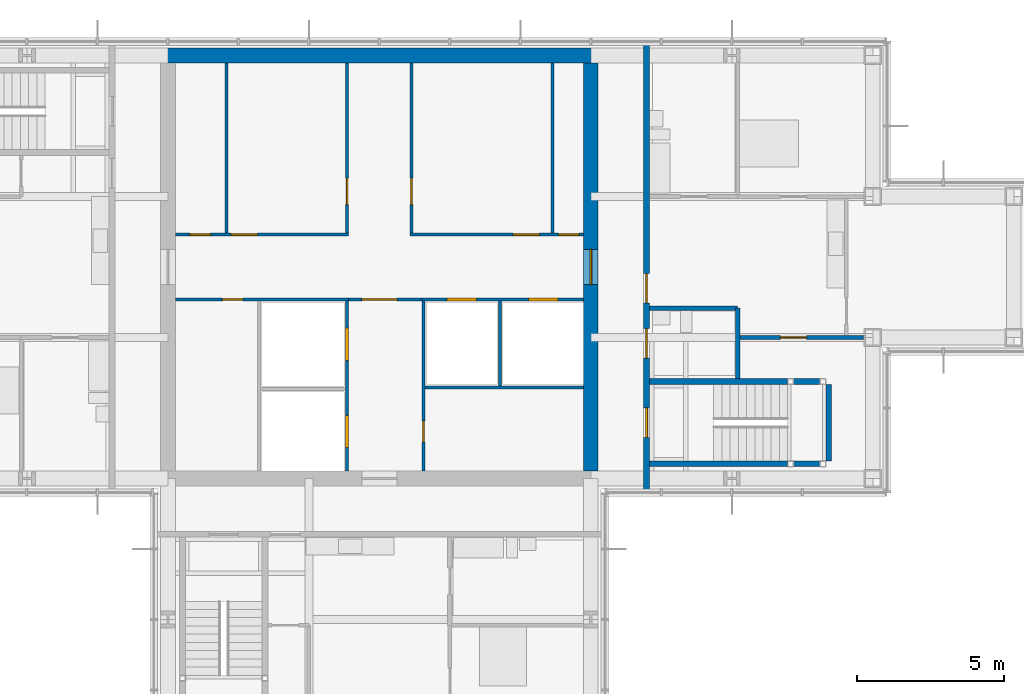
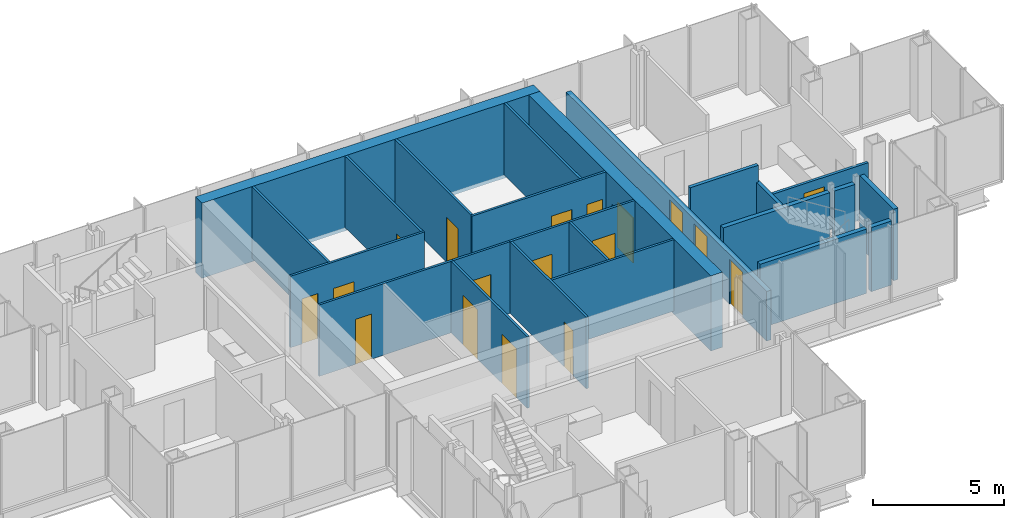
# One storey, part 11 of 15: 24 walls, 18 doors, 18 openings.
"""IFC4 building model written with IfcOpenShell, lengths in metres."""

import ifcopenshell
import ifcopenshell.guid

model = None  # the IFC model being written
_history = None  # IfcOwnerHistory: only IFC2X3 demands one
_inside = {}  # id of a spatial element -> (the spatial element, [elements in it])
_under = {}  # id of a project, library or spatial element -> (it, [spatial elements below it])
_declared = {}  # id of a project -> (the project, [libraries it declares])
_typed = {}  # id of a type object -> (the type object, [elements of that type])
_made_of = {}  # id of a material, layer set ... -> (it, [elements and type objects made of it])


def new_model(schema):
    """Start an empty IFC model of exactly this schema.

    Asked for "IFC4X3", IfcOpenShell would pick the latest addendum, in which some entities
    have other attributes; the version numbers below select the first issue.
    IFC2X3 requires an IfcOwnerHistory on every rooted entity: one is made here for all.
    """
    global model, _history
    if schema == "IFC4X3":
        model = ifcopenshell.file(schema_version=(4, 3, 0, 0))
    else:
        model = ifcopenshell.file(schema=schema)
    _inside.clear()
    _under.clear()
    _declared.clear()
    _typed.clear()
    _made_of.clear()
    _history = None
    if model.schema == "IFC2X3":
        org = make("IfcOrganization", Name="unknown")
        user = make(
            "IfcPersonAndOrganization",
            ThePerson=make("IfcPerson", FamilyName="unknown"),
            TheOrganization=org,
        )
        app = make(
            "IfcApplication",
            ApplicationDeveloper=org,
            Version="unknown",
            ApplicationFullName="unknown",
            ApplicationIdentifier="unknown",
        )
        _history = make(
            "IfcOwnerHistory",
            OwningUser=user,
            OwningApplication=app,
            ChangeAction="ADDED",
            CreationDate=0,
        )
    return model


def make(cls, **values):
    """One entity of the class cls with the attributes given. An attribute that is None is left unset."""
    return model.create_entity(
        cls, **{name: value for name, value in values.items() if value is not None}
    )


def rooted(cls, **values):
    """An entity with a GlobalId (a new one), such as an element, a storey or a relation."""
    return make(cls, GlobalId=ifcopenshell.guid.new(), OwnerHistory=_history, **values)


def si_unit(unit_type, name, prefix=None):
    """IfcSIUnit, for example si_unit("LENGTHUNIT", "METRE", prefix="MILLI")."""
    return make("IfcSIUnit", UnitType=unit_type, Prefix=prefix, Name=name)


def assignment(units):
    """IfcUnitAssignment: the units of a project."""
    return None if units is None else make("IfcUnitAssignment", Units=units)


def point(xyz):
    """IfcCartesianPoint."""
    return None if xyz is None else make("IfcCartesianPoint", Coordinates=xyz)


def direction(xyz):
    """IfcDirection."""
    return None if xyz is None else make("IfcDirection", DirectionRatios=xyz)


def frame(location, z_axis=None, x_axis=None):
    """IfcAxis2Placement3D, a coordinate frame: its origin and axes. An axis left out is left unset."""
    return make(
        "IfcAxis2Placement3D",
        Location=point(location),
        Axis=direction(z_axis),
        RefDirection=direction(x_axis),
    )


def frame_2d(location, x_axis=None):
    """IfcAxis2Placement2D, a coordinate frame in the plane: its origin and x axis."""
    return make(
        "IfcAxis2Placement2D", Location=point(location), RefDirection=direction(x_axis)
    )


def origin():
    """The frame at (0, 0, 0) with its axes left unset."""
    return frame((0.0, 0.0, 0.0))


def place(relative_to, where):
    """IfcLocalPlacement: puts the frame where relative to a parent placement (None: the world)."""
    return make(
        "IfcLocalPlacement", PlacementRelTo=relative_to, RelativePlacement=where
    )


def context(
    kind, dimensions, precision=None, world=None, true_north=None, identifier=None
):
    """IfcGeometricRepresentationContext, for example the 3D "Model" context."""
    return make(
        "IfcGeometricRepresentationContext",
        ContextIdentifier=identifier,
        ContextType=kind,
        CoordinateSpaceDimension=dimensions,
        Precision=precision,
        WorldCoordinateSystem=world,
        TrueNorth=true_north,
    )


def subcontext(parent, identifier, kind, view, scale=None):
    """IfcGeometricRepresentationSubContext, for example "Body" below "Model"."""
    return make(
        "IfcGeometricRepresentationSubContext",
        ContextIdentifier=identifier,
        ContextType=kind,
        ParentContext=parent,
        TargetScale=scale,
        TargetView=view,
    )


def project(units=None, contexts=None):
    """IfcProject with its units and contexts."""
    return rooted(
        "IfcProject",
        Name="project",
        RepresentationContexts=contexts,
        UnitsInContext=assignment(units),
    )


def spatial(cls, under=None, at=None, **own):
    """A site, building, storey or space (cls), placed at a placement, below another one or the project."""
    s = rooted(cls, ObjectPlacement=at, **own)
    if under is not None:
        _under.setdefault(under.id(), (under, []))[1].append(s)
    return s


def profile(cls, at=None, kind="AREA", **sizes):
    """A parametric profile (cls). Its sizes go by their IFC names, for example OverallWidth=200.0."""
    return make(cls, ProfileType=kind, Position=at, **sizes)


def rectangle(**sizes):
    """IfcRectangleProfileDef."""
    return profile("IfcRectangleProfileDef", **sizes)


def extrude(swept, where, along, depth):
    """IfcExtrudedAreaSolid: the profile swept, set in the frame where, extruded along a direction by depth."""
    return make(
        "IfcExtrudedAreaSolid",
        SweptArea=swept,
        Position=where,
        ExtrudedDirection=direction(along),
        Depth=depth,
    )


def shape(context_of_items, identifier, shape_type, items):
    """IfcShapeRepresentation: the items that make up one representation, for example the "Body"."""
    return make(
        "IfcShapeRepresentation",
        ContextOfItems=context_of_items,
        RepresentationIdentifier=identifier,
        RepresentationType=shape_type,
        Items=items,
    )


def material(Name=None, Category=None):
    """IfcMaterial."""
    return make("IfcMaterial", Name=Name, Category=Category)


def layer(
    of_material, thickness, ventilated=None, Name=None, Category=None, Priority=None
):
    """IfcMaterialLayer: one layer of a wall or slab, of a material (None: an air gap)."""
    return make(
        "IfcMaterialLayer",
        Material=of_material,
        LayerThickness=thickness,
        IsVentilated=ventilated,
        Name=Name,
        Category=Category,
        Priority=Priority,
    )


def layer_set(layers, Name=None):
    """IfcMaterialLayerSet."""
    return make("IfcMaterialLayerSet", MaterialLayers=layers, LayerSetName=Name)


def made_of(thing, what):
    """Note that an element or type object is made of a material, layer set ...; save() writes the relation."""
    if what is not None:
        _made_of.setdefault(what.id(), (what, []))[1].append(thing)
    return thing


def type_object(cls, material=None, **own):
    """A type object (cls), such as IfcWallType, which elements share."""
    return made_of(rooted(cls, **own), material)


def element(
    cls,
    number,
    at=None,
    inside=None,
    cuts=None,
    type_object=None,
    material=None,
    context=None,
    identifier="Body",
    shape_type=None,
    held_by="IfcProductDefinitionShape",
    body=None,
    shapes=None,
    **own,
):
    """One element of the class cls, such as IfcWall. Its Tag is "e" and its number.

    at: its placement. inside: the storey or other place that contains it. cuts: it is an
    opening in that element (IfcRelVoidsElement). A single representation is given by context,
    identifier, shape_type and body (its items); several are given by shapes. held_by: the class
    of the entity that holds the representations. save() writes the other relations.
    """
    e = rooted(cls, Tag="e%d" % number, ObjectPlacement=at, **own)
    if body is not None:
        shapes = [shape(context, identifier, shape_type, body)]
    if shapes is not None:
        e.Representation = make(held_by, Representations=shapes)
    if inside is not None:
        _inside.setdefault(inside.id(), (inside, []))[1].append(e)
    if cuts is not None:
        rooted(
            "IfcRelVoidsElement", RelatingBuildingElement=cuts, RelatedOpeningElement=e
        )
    if type_object is not None:
        _typed.setdefault(type_object.id(), (type_object, []))[1].append(e)
    return made_of(e, material)


def fill(opening, filler):
    """IfcRelFillsElement: the door or window that sits in an opening."""
    return rooted(
        "IfcRelFillsElement",
        RelatingOpeningElement=opening,
        RelatedBuildingElement=filler,
    )


def aggregate(whole, parts):
    """IfcRelAggregates: a whole, such as a stair, and the parts it consists of."""
    return rooted("IfcRelAggregates", RelatingObject=whole, RelatedObjects=parts)


def save(model, path):
    """Write the relations noted so far, then the file.

    IfcRelAggregates (storeys below a building ...), IfcRelContainedInSpatialStructure (elements
    in a storey), IfcRelDefinesByType, IfcRelAssociatesMaterial and IfcRelDeclares: one each for
    every whole, place, type object, material and project.
    """
    for whole, parts in _under.values():
        aggregate(whole, parts)
    for where, things in _inside.values():
        rooted(
            "IfcRelContainedInSpatialStructure",
            RelatedElements=things,
            RelatingStructure=where,
        )
    for kind, things in _typed.values():
        rooted("IfcRelDefinesByType", RelatedObjects=things, RelatingType=kind)
    for what, things in _made_of.values():
        rooted("IfcRelAssociatesMaterial", RelatedObjects=things, RelatingMaterial=what)
    for by, libraries in _declared.values():
        rooted("IfcRelDeclares", RelatingContext=by, RelatedDefinitions=libraries)
    model.write(path)


model = new_model("IFC4")

# Units and contexts
model_context = context("Model", 3, precision=1e-05, world=origin(), true_north=direction((0.0, 1.0)))
body_context = subcontext(model_context, "Body", "Model", "MODEL_VIEW")
ifc_project = project(units=[si_unit("LENGTHUNIT", "METRE"), si_unit("AREAUNIT", "SQUARE_METRE"), si_unit("VOLUMEUNIT", "CUBIC_METRE"), si_unit("PLANEANGLEUNIT", "RADIAN"), si_unit("MASSUNIT", "GRAM", prefix="KILO")], contexts=[model_context])

# Site, building, storey
site_placement = place(None, origin())
site = spatial("IfcSite", under=ifc_project, at=site_placement, CompositionType="ELEMENT")
building_placement = place(site_placement, origin())
building = spatial("IfcBuilding", under=site, at=building_placement, Name="Kvirike Care Tower", CompositionType="ELEMENT")
storey_placement = place(building_placement, frame((0.0, 0.0, 201.5)))
storey = spatial("IfcBuildingStorey", under=building, at=storey_placement, Name="L55", CompositionType="ELEMENT", Elevation=201.5)

# Walls
ifc_material_1 = material(Name="Moisture-resistant board partition", Category="gypsum")
ifc_layer_1 = layer(ifc_material_1, 0.14990234375)
ifc_layer_set_1 = layer_set([ifc_layer_1], Name="BATHROOM WALL 150")
wall_type_1 = type_object("IfcWallType", Name="BATHROOM WALL 150", PredefinedType="PARTITIONING", material=ifc_layer_set_1)
wall_1_placement = place(storey_placement, frame((33.800048828125, 32.199951171875, 0.0), z_axis=(0.0, 0.0, 1.0), x_axis=(0.0, 1.0, 0.0)))
element("IfcWall", 1, at=wall_1_placement, inside=storey, type_object=wall_type_1, Name="Bathroom Wall 150 L55", PredefinedType="PARTITIONING", context=body_context, shape_type="SweptSolid", body=[
    extrude(rectangle(XDim=2.400146484375, YDim=0.14990234375, at=frame_2d((1.2001953125, 0.0))), origin(), (0.0, 0.0, 1.0), 2.550048828125),
])
wall_2_placement = place(storey_placement, frame((33.800048828125, 34.60009765625, 0.0), z_axis=(0.0, 0.0, 1.0), x_axis=(-1.0, 0.0, 0.0)))
element("IfcWall", 2, at=wall_2_placement, inside=storey, type_object=wall_type_1, Name="Bathroom Wall 150 L55", PredefinedType="PARTITIONING", context=body_context, shape_type="SweptSolid", body=[
    extrude(rectangle(XDim=3.0, YDim=0.14990234375, at=frame_2d((1.5, 0.0))), origin(), (0.0, 0.0, 1.0), 3.330078125),
])
ifc_material_2 = material(Name="Concrete C40/50", Category="concrete")
ifc_layer_2 = layer(ifc_material_2, 0.5)
ifc_layer_set_2 = layer_set([ifc_layer_2], Name="CORE WALL 500 C40-50")
wall_type_2 = type_object("IfcWallType", Name="CORE WALL 500 C40-50", PredefinedType="SHEAR", material=ifc_layer_set_2)
wall_3_placement = place(storey_placement, frame((29.050048828125, 43.199951171875, -0.169921875), z_axis=(0.0, 0.0, 1.0), x_axis=(-1.0, 0.0, 0.0)))
element("IfcWall", 3, at=wall_3_placement, inside=storey, type_object=wall_type_2, Name="Core wall N L55", PredefinedType="SHEAR", context=body_context, shape_type="SweptSolid", body=[
    extrude(rectangle(XDim=14.900146484375, YDim=0.5, at=frame_2d((7.4501953125, 0.0))), origin(), (0.0, 0.0, 1.0), 3.5),
])

# Wall, opening, door
wall_4_placement = place(storey_placement, frame((28.800048828125, 29.050048828125, -0.169921875), z_axis=(0.0, 0.0, 1.0), x_axis=(0.0, 1.0, 0.0)))
wall_4 = element("IfcWall", 4, at=wall_4_placement, inside=storey, type_object=wall_type_2, Name="Core wall E L55", PredefinedType="SHEAR", context=body_context, shape_type="SweptSolid", body=[
    extrude(rectangle(XDim=13.89990234375, YDim=0.5, at=frame_2d((6.949951171875, 0.0))), origin(), (0.0, 0.0, 1.0), 3.5),
])
opening_1_placement = place(wall_4_placement, frame((6.35009765625, 0.0, 0.169921875)))
opening_1 = element("IfcOpeningElement", 5, at=opening_1_placement, cuts=wall_4, Name="Opening 55-035", PredefinedType="OPENING", context=body_context, shape_type="SweptSolid", body=[
    extrude(rectangle(XDim=1.199951171875, YDim=2.10009765625, at=frame_2d((0.60009765625, 1.050048828125))), frame((0.0, 0.260498046875, 0.0), z_axis=(0.0, -1.0, 0.0), x_axis=(1.0, 0.0, 0.0)), (0.0, 0.0, 1.0), 0.52099609375),
])
ifc_material_3 = material(Name="Timber door set", Category="wood")
door_type_1 = type_object("IfcDoorType", Name="CORE DOOR 1200", OperationType="SINGLE_SWING_LEFT", PredefinedType="DOOR", material=ifc_material_3)
door_1_placement = place(opening_1_placement, origin())
door_1 = element("IfcDoor", 6, at=door_1_placement, inside=storey, type_object=door_type_1, Name="Core door E L55", OperationType="SINGLE_SWING_LEFT", OverallHeight=2.10009765625, OverallWidth=1.199951171875, PredefinedType="DOOR", context=body_context, shape_type="SweptSolid", body=[
    extrude(rectangle(XDim=1.199951171875, YDim=2.10009765625, at=frame_2d((0.60009765625, 1.050048828125))), frame((0.0, 0.02685546875, 0.0), z_axis=(0.0, -1.0, 0.0), x_axis=(1.0, 0.0, 0.0)), (0.0, 0.0, 1.0), 0.053955078125),
])
fill(opening_1, door_1)

# Wall, openings, doors
ifc_material_4 = material(Name="Plasterboard corridor wall", Category="gypsum")
ifc_layer_3 = layer(ifc_material_4, 0.199951171875)
ifc_layer_set_3 = layer_set([ifc_layer_3], Name="CORRIDOR WALL 200")
wall_type_3 = type_object("IfcWallType", Name="CORRIDOR WALL 200", PredefinedType="PARTITIONING", material=ifc_layer_set_3)
wall_5_placement = place(storey_placement, frame((30.699951171875, 28.344970703125, 0.0), z_axis=(0.0, 0.0, 1.0), x_axis=(0.0, 1.0, 0.0)))
wall_5 = element("IfcWall", 7, at=wall_5_placement, inside=storey, type_object=wall_type_3, Name="Corridor Wall 200 L55", PredefinedType="PARTITIONING", context=body_context, shape_type="SweptSolid", body=[
    extrude(rectangle(XDim=15.31005859375, YDim=0.199951171875, at=frame_2d((7.655029296875, 0.0))), origin(), (0.0, 0.0, 1.0), 2.320068359375),
])
opening_2_placement = place(wall_5_placement, frame((1.85498046875, 0.0, 0.0)))
opening_2 = element("IfcOpeningElement", 8, at=opening_2_placement, cuts=wall_5, Name="Opening 55-017", PredefinedType="OPENING", context=body_context, shape_type="SweptSolid", body=[
    extrude(rectangle(XDim=1.0, YDim=2.10009765625, at=frame_2d((0.5, 1.050048828125))), frame((0.0, 0.110595703125, 0.0), z_axis=(0.0, -1.0, 0.0), x_axis=(1.0, 0.0, 0.0)), (0.0, 0.0, 1.0), 0.220947265625),
])
opening_3_placement = place(wall_5_placement, frame((4.554931640625, 0.0, 0.0)))
opening_3 = element("IfcOpeningElement", 9, at=opening_3_placement, cuts=wall_5, Name="Opening 55-018", PredefinedType="OPENING", context=body_context, shape_type="SweptSolid", body=[
    extrude(rectangle(XDim=1.0, YDim=2.10009765625, at=frame_2d((0.5, 1.050048828125))), frame((0.0, 0.110595703125, 0.0), z_axis=(0.0, -1.0, 0.0), x_axis=(1.0, 0.0, 0.0)), (0.0, 0.0, 1.0), 0.220947265625),
])
opening_4_placement = place(wall_5_placement, frame((6.429931640625, 0.0, 0.0)))
opening_4 = element("IfcOpeningElement", 10, at=opening_4_placement, cuts=wall_5, Name="Opening 55-019", PredefinedType="OPENING", context=body_context, shape_type="SweptSolid", body=[
    extrude(rectangle(XDim=1.0, YDim=2.10009765625, at=frame_2d((0.5, 1.050048828125))), frame((0.0, 0.110595703125, 0.0), z_axis=(0.0, -1.0, 0.0), x_axis=(1.0, 0.0, 0.0)), (0.0, 0.0, 1.0), 0.220947265625),
])
ifc_material_5 = material(Name="Timber door set", Category="wood")
door_type_2 = type_object("IfcDoorType", Name="FLAT ENTRANCE DOOR 1000", OperationType="SINGLE_SWING_LEFT", PredefinedType="DOOR", material=ifc_material_5)
door_2_placement = place(opening_4_placement, frame((1.0, 0.0, 0.0), z_axis=(0.0, 0.0, 1.0), x_axis=(-1.0, 0.0, 0.0)))
door_2 = element("IfcDoor", 11, at=door_2_placement, inside=storey, type_object=door_type_2, Name="Two-room apartment entrance", OperationType="SINGLE_SWING_LEFT", OverallHeight=2.10009765625, OverallWidth=1.0, PredefinedType="DOOR", context=body_context, shape_type="SweptSolid", body=[
    extrude(rectangle(XDim=1.0, YDim=2.10009765625, at=frame_2d((0.5, 1.050048828125))), frame((0.0, 0.02685546875, 0.0), z_axis=(0.0, -1.0, 0.0), x_axis=(1.0, 0.0, 0.0)), (0.0, 0.0, 1.0), 0.053955078125),
])
fill(opening_4, door_2)
ifc_material_6 = material(Name="Timber door set", Category="wood")
door_type_3 = type_object("IfcDoorType", Name="STAIR DOOR 1000", OperationType="SINGLE_SWING_LEFT", PredefinedType="DOOR", material=ifc_material_6)
door_3_placement = place(opening_2_placement, frame((1.0, 0.0, 0.0), z_axis=(0.0, 0.0, 1.0), x_axis=(-1.0, 0.0, 0.0)))
door_3 = element("IfcDoor", 12, at=door_3_placement, inside=storey, type_object=door_type_3, Name="Stair 2 door", OperationType="SINGLE_SWING_LEFT", OverallHeight=2.10009765625, OverallWidth=1.0, PredefinedType="DOOR", context=body_context, shape_type="SweptSolid", body=[
    extrude(rectangle(XDim=1.0, YDim=2.10009765625, at=frame_2d((0.5, 1.050048828125))), frame((0.0, 0.031982421875, 0.0), z_axis=(0.0, -1.0, 0.0), x_axis=(1.0, 0.0, 0.0)), (0.0, 0.0, 1.0), 0.06396484375),
])
fill(opening_2, door_3)
ifc_material_7 = material(Name="Timber door set", Category="wood")
door_type_4 = type_object("IfcDoorType", Name="WC DOOR 1000", OperationType="SINGLE_SWING_LEFT", PredefinedType="DOOR", material=ifc_material_7)
door_4_placement = place(opening_3_placement, frame((1.0, 0.0, 0.0), z_axis=(0.0, 0.0, 1.0), x_axis=(-1.0, 0.0, 0.0)))
door_4 = element("IfcDoor", 13, at=door_4_placement, inside=storey, type_object=door_type_4, Name="Accessible WC door", OperationType="SINGLE_SWING_LEFT", OverallHeight=2.10009765625, OverallWidth=1.0, PredefinedType="DOOR", context=body_context, shape_type="SweptSolid", body=[
    extrude(rectangle(XDim=1.0, YDim=2.10009765625, at=frame_2d((0.5, 1.050048828125))), frame((0.0, 0.02685546875, 0.0), z_axis=(0.0, -1.0, 0.0), x_axis=(1.0, 0.0, 0.0)), (0.0, 0.0, 1.0), 0.053955078125),
])
fill(opening_3, door_4)

# Wall, opening, door
ifc_material_8 = material(Name="Plasterboard partition", Category="gypsum")
ifc_layer_4 = layer(ifc_material_8, 0.1201171875)
ifc_layer_set_4 = layer_set([ifc_layer_4], Name="PARTITION 120")
wall_type_4 = type_object("IfcWallType", Name="PARTITION 120", PredefinedType="PARTITIONING", material=ifc_layer_set_4)
wall_6_placement = place(storey_placement, frame((38.080078125, 33.60009765625, 0.0), z_axis=(0.0, 0.0, 1.0), x_axis=(-1.0, 0.0, 0.0)))
wall_6 = element("IfcWall", 14, at=wall_6_placement, inside=storey, type_object=wall_type_4, Name="Partition 120 L55", PredefinedType="PARTITIONING", context=body_context, shape_type="SweptSolid", body=[
    extrude(rectangle(XDim=4.280029296875, YDim=0.1201171875, at=frame_2d((2.14013671875, 0.0))), origin(), (0.0, 0.0, 1.0), 2.550048828125),
])
opening_5_placement = place(wall_6_placement, frame((1.929931640625, 0.0, 0.0)))
opening_5 = element("IfcOpeningElement", 15, at=opening_5_placement, cuts=wall_6, Name="Opening 55-015", PredefinedType="OPENING", context=body_context, shape_type="SweptSolid", body=[
    extrude(rectangle(XDim=0.89990234375, YDim=2.10009765625, at=frame_2d((0.449951171875, 1.050048828125))), frame((0.0, 0.070556640625, 0.0), z_axis=(0.0, -1.0, 0.0), x_axis=(1.0, 0.0, 0.0)), (0.0, 0.0, 1.0), 0.14111328125),
])
ifc_material_9 = material(Name="Timber door set", Category="wood")
door_type_5 = type_object("IfcDoorType", Name="INTERNAL DOOR 900", OperationType="SINGLE_SWING_LEFT", PredefinedType="DOOR", material=ifc_material_9)
door_5_placement = place(opening_5_placement, origin())
door_5 = element("IfcDoor", 16, at=door_5_placement, inside=storey, type_object=door_type_5, Name="Connecting door", OperationType="SINGLE_SWING_LEFT", OverallHeight=2.10009765625, OverallWidth=0.89990234375, PredefinedType="DOOR", context=body_context, shape_type="SweptSolid", body=[
    extrude(rectangle(XDim=0.89990234375, YDim=2.10009765625, at=frame_2d((0.449951171875, 1.050048828125))), frame((0.0, 0.02197265625, 0.0), z_axis=(0.0, -1.0, 0.0), x_axis=(1.0, 0.0, 0.0)), (0.0, 0.0, 1.0), 0.0439453125),
])
fill(opening_5, door_5)

# Walls
ifc_material_10 = material(Name="Gypsum shaft wall system", Category="gypsum")
ifc_layer_5 = layer(ifc_material_10, 0.10009765625)
ifc_layer_set_5 = layer_set([ifc_layer_5], Name="SHAFT WALL 100")
wall_type_5 = type_object("IfcWallType", Name="SHAFT WALL 100", PredefinedType="SOLIDWALL", material=ifc_layer_set_5)
for number, where, z_axis, x_axis, name in (
    (17, (16.39990234375, 37.14990234375, 0.0), (0.0, 0.0, 1.0), (0.0, 1.0, 0.0), "Shaft Wall 100 L55"),
    (18, (27.5, 37.14990234375, 0.0), (0.0, 0.0, 1.0), (0.0, 1.0, 0.0), "Shaft Wall 100 L55"),
):
    element("IfcWall", number, at=place(storey_placement, frame(where, z_axis=z_axis, x_axis=x_axis)), inside=storey, type_object=wall_type_5, Name=name, PredefinedType="SOLIDWALL", context=body_context, shape_type="SweptSolid", body=[
        extrude(rectangle(XDim=5.800048828125, YDim=0.10009765625, at=frame_2d((2.89990234375, 0.0))), origin(), (0.0, 0.0, 1.0), 3.330078125),
    ])

# Wall, openings, doors
wall_7_placement = place(storey_placement, frame((20.5, 29.050048828125, 0.0), z_axis=(0.0, 0.0, 1.0), x_axis=(0.0, 1.0, 0.0)))
wall_7 = element("IfcWall", 19, at=wall_7_placement, inside=storey, type_object=wall_type_5, Name="Shaft Wall 100 L55", PredefinedType="SOLIDWALL", context=body_context, shape_type="SweptSolid", body=[
    extrude(rectangle(XDim=5.800048828125, YDim=0.10009765625, at=frame_2d((2.89990234375, 0.0))), origin(), (0.0, 0.0, 1.0), 3.330078125),
])
opening_6_placement = place(wall_7_placement, frame((0.800048828125, 0.0, 0.0)))
opening_6 = element("IfcOpeningElement", 20, at=opening_6_placement, cuts=wall_7, Name="Opening 55-020", PredefinedType="OPENING", context=body_context, shape_type="SweptSolid", body=[
    extrude(rectangle(XDim=1.10009765625, YDim=2.300048828125, at=frame_2d((0.550048828125, 1.14990234375))), frame((0.0, 0.060546875, 0.0), z_axis=(0.0, -1.0, 0.0), x_axis=(1.0, 0.0, 0.0)), (0.0, 0.0, 1.0), 0.12109375),
])
opening_7_placement = place(wall_7_placement, frame((3.77490234375, 0.0, 0.0)))
opening_7 = element("IfcOpeningElement", 21, at=opening_7_placement, cuts=wall_7, Name="Opening 55-021", PredefinedType="OPENING", context=body_context, shape_type="SweptSolid", body=[
    extrude(rectangle(XDim=1.10009765625, YDim=2.300048828125, at=frame_2d((0.550048828125, 1.14990234375))), frame((0.0, 0.060546875, 0.0), z_axis=(0.0, -1.0, 0.0), x_axis=(1.0, 0.0, 0.0)), (0.0, 0.0, 1.0), 0.12109375),
])
ifc_material_11 = material(Name="Aluminium door frame", Category="aluminium")
door_type_6 = type_object("IfcDoorType", Name="FIRE-FIGHTING LIFT LANDING DOOR 1100", OperationType="SLIDING_TO_LEFT", PredefinedType="DOOR", material=ifc_material_11)
door_6_placement = place(opening_6_placement, origin())
door_6 = element("IfcDoor", 22, at=door_6_placement, inside=storey, type_object=door_type_6, Name="Lift FF1 landing door", OperationType="SLIDING_TO_LEFT", OverallHeight=2.300048828125, OverallWidth=1.10009765625, PredefinedType="DOOR", context=body_context, shape_type="SweptSolid", body=[
    extrude(rectangle(XDim=1.10009765625, YDim=2.300048828125, at=frame_2d((0.550048828125, 1.14990234375))), frame((0.0, 0.0498046875, 0.0), z_axis=(0.0, -1.0, 0.0), x_axis=(1.0, 0.0, 0.0)), (0.0, 0.0, 1.0), 0.099609375),
])
fill(opening_6, door_6)
door_7_placement = place(opening_7_placement, origin())
door_7 = element("IfcDoor", 23, at=door_7_placement, inside=storey, type_object=door_type_6, Name="Lift FF2 landing door", OperationType="SLIDING_TO_LEFT", OverallHeight=2.300048828125, OverallWidth=1.10009765625, PredefinedType="DOOR", context=body_context, shape_type="SweptSolid", body=[
    extrude(rectangle(XDim=1.10009765625, YDim=2.300048828125, at=frame_2d((0.550048828125, 1.14990234375))), frame((0.0, 0.0498046875, 0.0), z_axis=(0.0, -1.0, 0.0), x_axis=(1.0, 0.0, 0.0)), (0.0, 0.0, 1.0), 0.099609375),
])
fill(opening_7, door_7)

# Wall, opening, door
wall_8_placement = place(storey_placement, frame((20.5, 37.14990234375, 0.0), z_axis=(0.0, 0.0, 1.0), x_axis=(0.0, 1.0, 0.0)))
wall_8 = element("IfcWall", 24, at=wall_8_placement, inside=storey, type_object=wall_type_5, Name="Shaft Wall 100 L55", PredefinedType="SOLIDWALL", context=body_context, shape_type="SweptSolid", body=[
    extrude(rectangle(XDim=5.800048828125, YDim=0.10009765625, at=frame_2d((2.89990234375, 0.0))), origin(), (0.0, 0.0, 1.0), 3.330078125),
])
opening_8_placement = place(wall_8_placement, frame((0.97509765625, 0.0, 0.0)))
opening_8 = element("IfcOpeningElement", 25, at=opening_8_placement, cuts=wall_8, Name="Opening 55-022", PredefinedType="OPENING", context=body_context, shape_type="SweptSolid", body=[
    extrude(rectangle(XDim=0.89990234375, YDim=2.10009765625, at=frame_2d((0.449951171875, 1.050048828125))), frame((0.0, 0.060546875, 0.0), z_axis=(0.0, -1.0, 0.0), x_axis=(1.0, 0.0, 0.0)), (0.0, 0.0, 1.0), 0.12109375),
])
ifc_material_12 = material(Name="Timber door set", Category="wood")
door_type_7 = type_object("IfcDoorType", Name="STORE DOOR 900", OperationType="SINGLE_SWING_LEFT", PredefinedType="DOOR", material=ifc_material_12)
door_8_placement = place(opening_8_placement, origin())
door_8 = element("IfcDoor", 26, at=door_8_placement, inside=storey, type_object=door_type_7, Name="Housekeeping office door", OperationType="SINGLE_SWING_RIGHT", OverallHeight=2.10009765625, OverallWidth=0.89990234375, PredefinedType="DOOR", context=body_context, shape_type="SweptSolid", body=[
    extrude(rectangle(XDim=0.89990234375, YDim=2.10009765625, at=frame_2d((0.449951171875, 1.050048828125))), frame((0.0, 0.02685546875, 0.0), z_axis=(0.0, -1.0, 0.0), x_axis=(1.0, 0.0, 0.0)), (0.0, 0.0, 1.0), 0.053955078125),
])
fill(opening_8, door_8)

wall_9_placement = place(storey_placement, frame((22.699951171875, 37.14990234375, 0.0), z_axis=(0.0, 0.0, 1.0), x_axis=(0.0, 1.0, 0.0)))
wall_9 = element("IfcWall", 27, at=wall_9_placement, inside=storey, type_object=wall_type_5, Name="Shaft Wall 100 L55", PredefinedType="SOLIDWALL", context=body_context, shape_type="SweptSolid", body=[
    extrude(rectangle(XDim=5.800048828125, YDim=0.10009765625, at=frame_2d((2.89990234375, 0.0))), origin(), (0.0, 0.0, 1.0), 3.330078125),
])
opening_9_placement = place(wall_9_placement, frame((0.97509765625, 0.0, 0.0)))
opening_9 = element("IfcOpeningElement", 28, at=opening_9_placement, cuts=wall_9, Name="Opening 55-023", PredefinedType="OPENING", context=body_context, shape_type="SweptSolid", body=[
    extrude(rectangle(XDim=0.89990234375, YDim=2.10009765625, at=frame_2d((0.449951171875, 1.050048828125))), frame((0.0, 0.060546875, 0.0), z_axis=(0.0, -1.0, 0.0), x_axis=(1.0, 0.0, 0.0)), (0.0, 0.0, 1.0), 0.12109375),
])
door_9_placement = place(opening_9_placement, frame((0.89990234375, 0.0, 0.0), z_axis=(0.0, 0.0, 1.0), x_axis=(-1.0, 0.0, 0.0)))
door_9 = element("IfcDoor", 29, at=door_9_placement, inside=storey, type_object=door_type_7, Name="Staff room door", OperationType="SINGLE_SWING_LEFT", OverallHeight=2.10009765625, OverallWidth=0.89990234375, PredefinedType="DOOR", context=body_context, shape_type="SweptSolid", body=[
    extrude(rectangle(XDim=0.89990234375, YDim=2.10009765625, at=frame_2d((0.449951171875, 1.050048828125))), frame((0.0, 0.02685546875, 0.0), z_axis=(0.0, -1.0, 0.0), x_axis=(1.0, 0.0, 0.0)), (0.0, 0.0, 1.0), 0.053955078125),
])
fill(opening_9, door_9)

wall_10_placement = place(storey_placement, frame((23.10009765625, 29.050048828125, 0.0), z_axis=(0.0, 0.0, 1.0), x_axis=(0.0, 1.0, 0.0)))
wall_10 = element("IfcWall", 30, at=wall_10_placement, inside=storey, type_object=wall_type_5, Name="Shaft Wall 100 L55", PredefinedType="SOLIDWALL", context=body_context, shape_type="SweptSolid", body=[
    extrude(rectangle(XDim=5.800048828125, YDim=0.10009765625, at=frame_2d((2.89990234375, 0.0))), origin(), (0.0, 0.0, 1.0), 3.330078125),
])
opening_10_placement = place(wall_10_placement, frame((1.0, 0.0, 0.0)))
opening_10 = element("IfcOpeningElement", 31, at=opening_10_placement, cuts=wall_10, Name="Opening 55-024", PredefinedType="OPENING", context=body_context, shape_type="SweptSolid", body=[
    extrude(rectangle(XDim=0.699951171875, YDim=2.10009765625, at=frame_2d((0.35009765625, 1.050048828125))), frame((0.0, 0.060546875, 0.0), z_axis=(0.0, -1.0, 0.0), x_axis=(1.0, 0.0, 0.0)), (0.0, 0.0, 1.0), 0.12109375),
])
ifc_material_13 = material(Name="Timber door set", Category="wood")
door_type_8 = type_object("IfcDoorType", Name="RISER DOOR 700", OperationType="SINGLE_SWING_LEFT", PredefinedType="DOOR", material=ifc_material_13)
door_10_placement = place(opening_10_placement, origin())
door_10 = element("IfcDoor", 32, at=door_10_placement, inside=storey, type_object=door_type_8, Name="Riser door", OperationType="SINGLE_SWING_RIGHT", OverallHeight=2.10009765625, OverallWidth=0.699951171875, PredefinedType="DOOR", context=body_context, shape_type="SweptSolid", body=[
    extrude(rectangle(XDim=0.699951171875, YDim=2.10009765625, at=frame_2d((0.35009765625, 1.050048828125))), frame((0.0, 0.02685546875, 0.0), z_axis=(0.0, -1.0, 0.0), x_axis=(1.0, 0.0, 0.0)), (0.0, 0.0, 1.0), 0.053955078125),
])
fill(opening_10, door_10)

wall_11_placement = place(storey_placement, frame((14.64990234375, 34.89990234375, 0.0), z_axis=(0.0, 0.0, 1.0), x_axis=(1.0, 0.0, 0.0)))
wall_11 = element("IfcWall", 33, at=wall_11_placement, inside=storey, type_object=wall_type_5, Name="Shaft Wall 100 L55", PredefinedType="SOLIDWALL", context=body_context, shape_type="SweptSolid", body=[
    extrude(rectangle(XDim=5.900146484375, YDim=0.10009765625, at=frame_2d((2.9501953125, 0.0))), origin(), (0.0, 0.0, 1.0), 3.330078125),
])
opening_11_placement = place(wall_11_placement, frame((1.60009765625, 0.0, 0.0)))
opening_11 = element("IfcOpeningElement", 34, at=opening_11_placement, cuts=wall_11, Name="Opening 55-025", PredefinedType="OPENING", context=body_context, shape_type="SweptSolid", body=[
    extrude(rectangle(XDim=0.699951171875, YDim=2.10009765625, at=frame_2d((0.35009765625, 1.050048828125))), frame((0.0, 0.060546875, 0.0), z_axis=(0.0, -1.0, 0.0), x_axis=(1.0, 0.0, 0.0)), (0.0, 0.0, 1.0), 0.12109375),
])
door_11_placement = place(opening_11_placement, frame((0.699951171875, 0.0, 0.0), z_axis=(0.0, 0.0, 1.0), x_axis=(-1.0, 0.0, 0.0)))
door_11 = element("IfcDoor", 35, at=door_11_placement, inside=storey, type_object=door_type_8, Name="Riser door", OperationType="SINGLE_SWING_RIGHT", OverallHeight=2.10009765625, OverallWidth=0.699951171875, PredefinedType="DOOR", context=body_context, shape_type="SweptSolid", body=[
    extrude(rectangle(XDim=0.699951171875, YDim=2.10009765625, at=frame_2d((0.35009765625, 1.050048828125))), frame((0.0, 0.02685546875, 0.0), z_axis=(0.0, -1.0, 0.0), x_axis=(1.0, 0.0, 0.0)), (0.0, 0.0, 1.0), 0.053955078125),
])
fill(opening_11, door_11)

# Wall, openings, doors
wall_12_placement = place(storey_placement, frame((23.050048828125, 34.89990234375, 0.0), z_axis=(0.0, 0.0, 1.0), x_axis=(1.0, 0.0, 0.0)))
wall_12 = element("IfcWall", 36, at=wall_12_placement, inside=storey, type_object=wall_type_5, Name="Shaft Wall 100 L55", PredefinedType="SOLIDWALL", context=body_context, shape_type="SweptSolid", body=[
    extrude(rectangle(XDim=5.5, YDim=0.10009765625, at=frame_2d((2.75, 0.0))), origin(), (0.0, 0.0, 1.0), 3.330078125),
])
opening_12_placement = place(wall_12_placement, frame((0.85009765625, 0.0, 0.0)))
opening_12 = element("IfcOpeningElement", 37, at=opening_12_placement, cuts=wall_12, Name="Opening 55-026", PredefinedType="OPENING", context=body_context, shape_type="SweptSolid", body=[
    extrude(rectangle(XDim=1.0, YDim=2.10009765625, at=frame_2d((0.5, 1.050048828125))), frame((0.0, 0.060546875, 0.0), z_axis=(0.0, -1.0, 0.0), x_axis=(1.0, 0.0, 0.0)), (0.0, 0.0, 1.0), 0.12109375),
])
opening_13_placement = place(wall_12_placement, frame((3.625, 0.0, 0.0)))
opening_13 = element("IfcOpeningElement", 38, at=opening_13_placement, cuts=wall_12, Name="Opening 55-027", PredefinedType="OPENING", context=body_context, shape_type="SweptSolid", body=[
    extrude(rectangle(XDim=1.0, YDim=2.10009765625, at=frame_2d((0.5, 1.050048828125))), frame((0.0, 0.060546875, 0.0), z_axis=(0.0, -1.0, 0.0), x_axis=(1.0, 0.0, 0.0)), (0.0, 0.0, 1.0), 0.12109375),
])
ifc_material_14 = material(Name="Aluminium door frame", Category="aluminium")
door_type_9 = type_object("IfcDoorType", Name="LIFT LANDING DOOR 1000", OperationType="SLIDING_TO_LEFT", PredefinedType="DOOR", material=ifc_material_14)
door_12_placement = place(opening_12_placement, origin())
door_12 = element("IfcDoor", 39, at=door_12_placement, inside=storey, type_object=door_type_9, Name="Lift P5 landing door", OperationType="SLIDING_TO_LEFT", OverallHeight=2.10009765625, OverallWidth=1.0, PredefinedType="DOOR", context=body_context, shape_type="SweptSolid", body=[
    extrude(rectangle(XDim=1.0, YDim=2.10009765625, at=frame_2d((0.5, 1.050048828125))), frame((0.0, 0.0498046875, 0.0), z_axis=(0.0, -1.0, 0.0), x_axis=(1.0, 0.0, 0.0)), (0.0, 0.0, 1.0), 0.099609375),
])
fill(opening_12, door_12)
door_13_placement = place(opening_13_placement, origin())
door_13 = element("IfcDoor", 40, at=door_13_placement, inside=storey, type_object=door_type_9, Name="Lift P6 landing door", OperationType="SLIDING_TO_LEFT", OverallHeight=2.10009765625, OverallWidth=1.0, PredefinedType="DOOR", context=body_context, shape_type="SweptSolid", body=[
    extrude(rectangle(XDim=1.0, YDim=2.10009765625, at=frame_2d((0.5, 1.050048828125))), frame((0.0, 0.0498046875, 0.0), z_axis=(0.0, -1.0, 0.0), x_axis=(1.0, 0.0, 0.0)), (0.0, 0.0, 1.0), 0.099609375),
])
fill(opening_13, door_13)

wall_13_placement = place(storey_placement, frame((14.64990234375, 37.10009765625, 0.0), z_axis=(0.0, 0.0, 1.0), x_axis=(1.0, 0.0, 0.0)))
wall_13 = element("IfcWall", 41, at=wall_13_placement, inside=storey, type_object=wall_type_5, Name="Shaft Wall 100 L55", PredefinedType="SOLIDWALL", context=body_context, shape_type="SweptSolid", body=[
    extrude(rectangle(XDim=5.900146484375, YDim=0.10009765625, at=frame_2d((2.9501953125, 0.0))), origin(), (0.0, 0.0, 1.0), 3.330078125),
])
opening_14_placement = place(wall_13_placement, frame((0.5, 0.0, 0.0)))
opening_14 = element("IfcOpeningElement", 42, at=opening_14_placement, cuts=wall_13, Name="Opening 55-028", PredefinedType="OPENING", context=body_context, shape_type="SweptSolid", body=[
    extrude(rectangle(XDim=0.699951171875, YDim=2.10009765625, at=frame_2d((0.35009765625, 1.050048828125))), frame((0.0, 0.060546875, 0.0), z_axis=(0.0, -1.0, 0.0), x_axis=(1.0, 0.0, 0.0)), (0.0, 0.0, 1.0), 0.12109375),
])
opening_15_placement = place(wall_13_placement, frame((1.89990234375, 0.0, 0.0)))
opening_15 = element("IfcOpeningElement", 43, at=opening_15_placement, cuts=wall_13, Name="Opening 55-029", PredefinedType="OPENING", context=body_context, shape_type="SweptSolid", body=[
    extrude(rectangle(XDim=0.89990234375, YDim=2.10009765625, at=frame_2d((0.449951171875, 1.050048828125))), frame((0.0, 0.060546875, 0.0), z_axis=(0.0, -1.0, 0.0), x_axis=(1.0, 0.0, 0.0)), (0.0, 0.0, 1.0), 0.12109375),
])
door_14_placement = place(opening_14_placement, origin())
door_14 = element("IfcDoor", 44, at=door_14_placement, inside=storey, type_object=door_type_8, Name="Riser door", OperationType="SINGLE_SWING_RIGHT", OverallHeight=2.10009765625, OverallWidth=0.699951171875, PredefinedType="DOOR", context=body_context, shape_type="SweptSolid", body=[
    extrude(rectangle(XDim=0.699951171875, YDim=2.10009765625, at=frame_2d((0.35009765625, 1.050048828125))), frame((0.0, 0.02685546875, 0.0), z_axis=(0.0, -1.0, 0.0), x_axis=(1.0, 0.0, 0.0)), (0.0, 0.0, 1.0), 0.053955078125),
])
fill(opening_14, door_14)
door_15_placement = place(opening_15_placement, origin())
door_15 = element("IfcDoor", 45, at=door_15_placement, inside=storey, type_object=door_type_7, Name="Housekeeping office door", OperationType="SINGLE_SWING_RIGHT", OverallHeight=2.10009765625, OverallWidth=0.89990234375, PredefinedType="DOOR", context=body_context, shape_type="SweptSolid", body=[
    extrude(rectangle(XDim=0.89990234375, YDim=2.10009765625, at=frame_2d((0.449951171875, 1.050048828125))), frame((0.0, 0.02685546875, 0.0), z_axis=(0.0, -1.0, 0.0), x_axis=(1.0, 0.0, 0.0)), (0.0, 0.0, 1.0), 0.053955078125),
])
fill(opening_15, door_15)

wall_14_placement = place(storey_placement, frame((22.64990234375, 37.10009765625, 0.0), z_axis=(0.0, 0.0, 1.0), x_axis=(1.0, 0.0, 0.0)))
wall_14 = element("IfcWall", 46, at=wall_14_placement, inside=storey, type_object=wall_type_5, Name="Shaft Wall 100 L55", PredefinedType="SOLIDWALL", context=body_context, shape_type="SweptSolid", body=[
    extrude(rectangle(XDim=5.900146484375, YDim=0.10009765625, at=frame_2d((2.9501953125, 0.0))), origin(), (0.0, 0.0, 1.0), 3.330078125),
])
opening_16_placement = place(wall_14_placement, frame((3.5, 0.0, 0.0)))
opening_16 = element("IfcOpeningElement", 47, at=opening_16_placement, cuts=wall_14, Name="Opening 55-030", PredefinedType="OPENING", context=body_context, shape_type="SweptSolid", body=[
    extrude(rectangle(XDim=0.89990234375, YDim=2.10009765625, at=frame_2d((0.449951171875, 1.050048828125))), frame((0.0, 0.060546875, 0.0), z_axis=(0.0, -1.0, 0.0), x_axis=(1.0, 0.0, 0.0)), (0.0, 0.0, 1.0), 0.12109375),
])
opening_17_placement = place(wall_14_placement, frame((5.050048828125, 0.0, 0.0)))
opening_17 = element("IfcOpeningElement", 48, at=opening_17_placement, cuts=wall_14, Name="Opening 55-031", PredefinedType="OPENING", context=body_context, shape_type="SweptSolid", body=[
    extrude(rectangle(XDim=0.699951171875, YDim=2.10009765625, at=frame_2d((0.35009765625, 1.050048828125))), frame((0.0, 0.060546875, 0.0), z_axis=(0.0, -1.0, 0.0), x_axis=(1.0, 0.0, 0.0)), (0.0, 0.0, 1.0), 0.12109375),
])
door_16_placement = place(opening_17_placement, origin())
door_16 = element("IfcDoor", 49, at=door_16_placement, inside=storey, type_object=door_type_8, Name="Riser door", OperationType="SINGLE_SWING_LEFT", OverallHeight=2.10009765625, OverallWidth=0.699951171875, PredefinedType="DOOR", context=body_context, shape_type="SweptSolid", body=[
    extrude(rectangle(XDim=0.699951171875, YDim=2.10009765625, at=frame_2d((0.35009765625, 1.050048828125))), frame((0.0, 0.02685546875, 0.0), z_axis=(0.0, -1.0, 0.0), x_axis=(1.0, 0.0, 0.0)), (0.0, 0.0, 1.0), 0.053955078125),
])
fill(opening_17, door_16)
door_17_placement = place(opening_16_placement, origin())
door_17 = element("IfcDoor", 50, at=door_17_placement, inside=storey, type_object=door_type_7, Name="Staff room door", OperationType="SINGLE_SWING_LEFT", OverallHeight=2.10009765625, OverallWidth=0.89990234375, PredefinedType="DOOR", context=body_context, shape_type="SweptSolid", body=[
    extrude(rectangle(XDim=0.89990234375, YDim=2.10009765625, at=frame_2d((0.449951171875, 1.050048828125))), frame((0.0, 0.02685546875, 0.0), z_axis=(0.0, -1.0, 0.0), x_axis=(1.0, 0.0, 0.0)), (0.0, 0.0, 1.0), 0.053955078125),
])
fill(opening_16, door_17)

# Wall, opening, door
wall_15_placement = place(storey_placement, frame((20.550048828125, 34.89990234375, 0.0), z_axis=(0.0, 0.0, 1.0), x_axis=(1.0, 0.0, 0.0)))
wall_15 = element("IfcWall", 51, at=wall_15_placement, inside=storey, type_object=wall_type_5, Name="Shaft Wall 100 L55", PredefinedType="SOLIDWALL", context=body_context, shape_type="SweptSolid", body=[
    extrude(rectangle(XDim=2.5, YDim=0.10009765625, at=frame_2d((1.25, 0.0))), origin(), (0.0, 0.0, 1.0), 3.330078125),
])
opening_18_placement = place(wall_15_placement, frame((0.449951171875, 0.0, 0.0)))
opening_18 = element("IfcOpeningElement", 52, at=opening_18_placement, cuts=wall_15, Name="Opening 55-032", PredefinedType="OPENING", context=body_context, shape_type="SweptSolid", body=[
    extrude(rectangle(XDim=1.199951171875, YDim=2.10009765625, at=frame_2d((0.60009765625, 1.050048828125))), frame((0.0, 0.060546875, 0.0), z_axis=(0.0, -1.0, 0.0), x_axis=(1.0, 0.0, 0.0)), (0.0, 0.0, 1.0), 0.12109375),
])
door_18_placement = place(opening_18_placement, frame((1.199951171875, 0.0, 0.0), z_axis=(0.0, 0.0, 1.0), x_axis=(-1.0, 0.0, 0.0)))
door_18 = element("IfcDoor", 53, at=door_18_placement, inside=storey, type_object=door_type_1, Name="Fire-fighting lobby door", OperationType="SINGLE_SWING_LEFT", OverallHeight=2.10009765625, OverallWidth=1.199951171875, PredefinedType="DOOR", context=body_context, shape_type="SweptSolid", body=[
    extrude(rectangle(XDim=1.199951171875, YDim=2.10009765625, at=frame_2d((0.60009765625, 1.050048828125))), frame((0.0, 0.02685546875, 0.0), z_axis=(0.0, -1.0, 0.0), x_axis=(1.0, 0.0, 0.0)), (0.0, 0.0, 1.0), 0.053955078125),
])
fill(opening_18, door_18)

# Walls
wall_16_placement = place(storey_placement, frame((25.699951171875, 31.949951171875, 0.0), z_axis=(0.0, 0.0, 1.0), x_axis=(0.0, 1.0, 0.0)))
element("IfcWall", 54, at=wall_16_placement, inside=storey, type_object=wall_type_5, Name="Shaft Wall 100 L55", PredefinedType="SOLIDWALL", context=body_context, shape_type="SweptSolid", body=[
    extrude(rectangle(XDim=2.900146484375, YDim=0.10009765625, at=frame_2d((1.4501953125, 0.0))), origin(), (0.0, 0.0, 1.0), 3.330078125),
])
wall_17_placement = place(storey_placement, frame((23.14990234375, 31.89990234375, 0.0), z_axis=(0.0, 0.0, 1.0), x_axis=(1.0, 0.0, 0.0)))
element("IfcWall", 55, at=wall_17_placement, inside=storey, type_object=wall_type_5, Name="Shaft Wall 100 L55", PredefinedType="SOLIDWALL", context=body_context, shape_type="SweptSolid", body=[
    extrude(rectangle(XDim=5.400146484375, YDim=0.10009765625, at=frame_2d((2.7001953125, 0.0))), origin(), (0.0, 0.0, 1.0), 3.330078125),
])
ifc_material_15 = material(Name="Concrete C40/50", Category="concrete")
ifc_layer_6 = layer(ifc_material_15, 0.199951171875)
ifc_layer_set_6 = layer_set([ifc_layer_6], Name="STAIR WALL 200")
wall_type_6 = type_object("IfcWallType", Name="STAIR WALL 200", PredefinedType="SOLIDWALL", material=ifc_layer_set_6)
wall_18_placement = place(storey_placement, frame((36.60009765625, 29.300048828125, 0.0), z_axis=(0.0, 0.0, 1.0), x_axis=(-1.0, 0.0, 0.0)))
element("IfcWall", 56, at=wall_18_placement, inside=storey, type_object=wall_type_6, Name="Stair Wall 200 L55", PredefinedType="SOLIDWALL", context=body_context, shape_type="SweptSolid", body=[
    extrude(rectangle(XDim=0.900146484375, YDim=0.199951171875, at=frame_2d((0.4501953125, 0.0))), origin(), (0.0, 0.0, 1.0), 2.989990234375),
])
wall_19_placement = place(storey_placement, frame((35.5, 29.300048828125, 0.0), z_axis=(0.0, 0.0, 1.0), x_axis=(-1.0, 0.0, 0.0)))
element("IfcWall", 57, at=wall_19_placement, inside=storey, type_object=wall_type_6, Name="Stair Wall 200 L55", PredefinedType="SOLIDWALL", context=body_context, shape_type="SweptSolid", body=[
    extrude(rectangle(XDim=4.699951171875, YDim=0.199951171875, at=frame_2d((2.35009765625, 0.0))), origin(), (0.0, 0.0, 1.0), 2.989990234375),
])
wall_20_placement = place(storey_placement, frame((36.60009765625, 32.10009765625, 0.0), z_axis=(0.0, 0.0, 1.0), x_axis=(-1.0, 0.0, 0.0)))
element("IfcWall", 58, at=wall_20_placement, inside=storey, type_object=wall_type_6, Name="Stair Wall 200 L55", PredefinedType="SOLIDWALL", context=body_context, shape_type="SweptSolid", body=[
    extrude(rectangle(XDim=0.900146484375, YDim=0.199951171875, at=frame_2d((0.4501953125, 0.0))), origin(), (0.0, 0.0, 1.0), 2.989990234375),
])
wall_21_placement = place(storey_placement, frame((35.5, 32.10009765625, 0.0), z_axis=(0.0, 0.0, 1.0), x_axis=(-1.0, 0.0, 0.0)))
element("IfcWall", 59, at=wall_21_placement, inside=storey, type_object=wall_type_6, Name="Stair Wall 200 L55", PredefinedType="SOLIDWALL", context=body_context, shape_type="SweptSolid", body=[
    extrude(rectangle(XDim=4.699951171875, YDim=0.199951171875, at=frame_2d((2.35009765625, 0.0))), origin(), (0.0, 0.0, 1.0), 2.989990234375),
])
wall_22_placement = place(storey_placement, frame((36.89990234375, 29.39990234375, 0.0), z_axis=(0.0, 0.0, 1.0), x_axis=(0.0, 1.0, 0.0)))
element("IfcWall", 60, at=wall_22_placement, inside=storey, type_object=wall_type_6, Name="Stair Wall 200 L55", PredefinedType="SOLIDWALL", context=body_context, shape_type="SweptSolid", body=[
    extrude(rectangle(XDim=2.60009765625, YDim=0.199951171875, at=frame_2d((1.300048828125, 0.0))), origin(), (0.0, 0.0, 1.0), 3.330078125),
])

save(model, "model.ifc")
